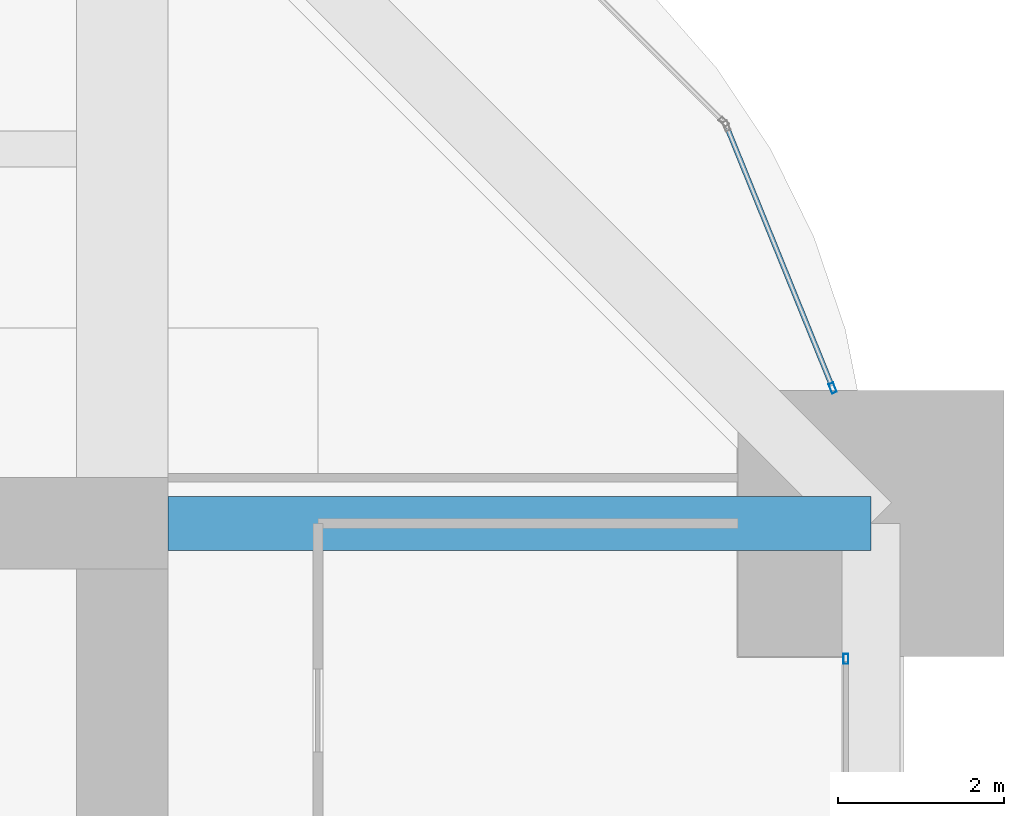
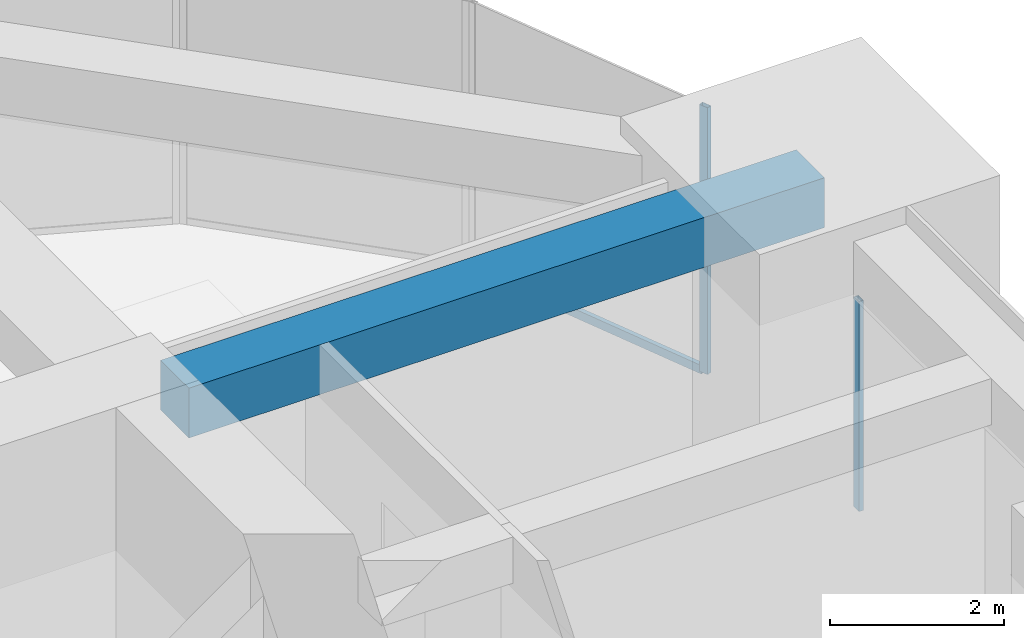
# One storey, part 35 of 43: 3 members, 1 beam, 2 elements without a shape of their own.
"""IFC4 building model written with IfcOpenShell, lengths in metres."""

from ifc_helpers import new_model, si_unit, direction, frame, origin, origin_2d, place, context, subcontext, project, spatial, rectangle, hollow_rectangle, extrude, material, material_profile, profile_set, type_object, element, aggregate, save


model = new_model("IFC4")

# Units and contexts
model_context = context("Model", 3, precision=1e-05, world=origin(), true_north=direction((0.0, 1.0)))
body_context = subcontext(model_context, "Body", "Model", "MODEL_VIEW")
ifc_project = project(units=[si_unit("LENGTHUNIT", "METRE"), si_unit("AREAUNIT", "SQUARE_METRE"), si_unit("VOLUMEUNIT", "CUBIC_METRE"), si_unit("PLANEANGLEUNIT", "RADIAN"), si_unit("MASSUNIT", "GRAM", prefix="KILO")], contexts=[model_context])

# Site, building, storey
site_placement = place(None, origin())
site = spatial("IfcSite", under=ifc_project, at=site_placement, CompositionType="ELEMENT")
building_placement = place(site_placement, origin())
building = spatial("IfcBuilding", under=site, at=building_placement, Name="Zorevar Civic Tower", CompositionType="ELEMENT")
storey_placement = place(building_placement, frame((0.0, 0.0, 243.39990234375)))
storey = spatial("IfcBuildingStorey", under=building, at=storey_placement, Name="L59", CompositionType="ELEMENT", Elevation=243.39990234375)

# Beam
ifc_material_1 = material(Name="Concrete C50/60", Category="concrete")
ifc_material_profile_1 = material_profile(ifc_material_1, rectangle(XDim=0.64990234375, YDim=0.699951171875, at=origin_2d()), Name="RC 650x700")
ifc_profile_set_1 = profile_set([ifc_material_profile_1], Name="Concrete C50/60")
beam_type = type_object("IfcBeamType", Name="Beam RC 650x700", PredefinedType="BEAM", material=ifc_profile_set_1)
beam_placement = place(storey_placement, frame((45.550048828125, 36.0, 3.400146484375), z_axis=(1.0, 0.0, 0.0), x_axis=(0.0, 1.0, 0.0)))
element("IfcBeam", 1, at=beam_placement, inside=storey, type_object=beam_type, Name="Girder L60", PredefinedType="BEAM", context=body_context, shape_type="SweptSolid", body=[
    extrude(rectangle(XDim=0.64990234375, YDim=0.699951171875, at=origin_2d()), origin(), (0.0, 0.0, 1.0), 8.449951171875),
])

# Curtain wall, member
ifc_material_2 = material(Name="Dark grey solar-control glass in black aluminium frame", Category="aluminium")
curtain_wall_type = type_object("IfcCurtainWallType", Name="Curtain wall CW5 top zone", PredefinedType="NOTDEFINED", material=ifc_material_2)
curtain_wall_1_placement = place(storey_placement, origin())
curtain_wall_1 = element("IfcCurtainWall", 2, at=curtain_wall_1_placement, inside=storey, type_object=curtain_wall_type, Name="CW5 L59", PredefinedType="NOTDEFINED")
ifc_material_3 = material(Name="Aluminium, black anodised", Category="aluminium")
ifc_material_profile_2 = material_profile(ifc_material_3, hollow_rectangle(XDim=0.06005859375, YDim=0.1201171875, WallThickness=0.0029296875, at=origin_2d()), Name="AL 120x60x3")
ifc_profile_set_2 = profile_set([ifc_material_profile_2], Name="Aluminium, black anodised")
member_type_1 = type_object("IfcMemberType", Name="CW5 mullion AL 120x60x3", PredefinedType="MULLION", material=ifc_profile_set_2)
member_1_placement = place(storey_placement, frame((53.699951171875, 34.3701171875, 0.0), z_axis=(0.0, 0.0, 1.0), x_axis=(-1.0, 0.0, 0.0)))
member_1 = element("IfcMember", 3, at=member_1_placement, type_object=member_type_1, Name="CW5 mullion 2", PredefinedType="MULLION", context=body_context, shape_type="SweptSolid", body=[
    extrude(hollow_rectangle(XDim=0.06005859375, YDim=0.1201171875, WallThickness=0.0029296875, at=origin_2d()), origin(), (0.0, 0.0, 1.0), 2.9501953125),
])
aggregate(curtain_wall_1, [member_1])

# Curtain wall, members
curtain_wall_2_placement = place(storey_placement, origin())
curtain_wall_2 = element("IfcCurtainWall", 4, at=curtain_wall_2_placement, inside=storey, type_object=curtain_wall_type, Name="CW5 L59", PredefinedType="NOTDEFINED")
member_2_placement = place(storey_placement, frame((53.540283203125, 37.627685546875, 0.0), z_axis=(0.0, 0.0, 1.0), x_axis=(-0.926761540227, -0.375650166453, 0.0)))
member_2 = element("IfcMember", 5, at=member_2_placement, type_object=member_type_1, Name="CW5 mullion 1", PredefinedType="MULLION", context=body_context, shape_type="SweptSolid", body=[
    extrude(hollow_rectangle(XDim=0.06005859375, YDim=0.1201171875, WallThickness=0.0029296875, at=origin_2d()), origin(), (0.0, 0.0, 1.0), 3.75),
])
ifc_material_4 = material(Name="Aluminium, black anodised", Category="aluminium")
ifc_material_profile_3 = material_profile(ifc_material_4, hollow_rectangle(XDim=0.06005859375, YDim=0.1201171875, WallThickness=0.0029296875, at=origin_2d()), Name="AL 120x60x3")
ifc_profile_set_3 = profile_set([ifc_material_profile_3], Name="Aluminium, black anodised")
member_type_2 = type_object("IfcMemberType", Name="CW5 transom AL 120x60x3", PredefinedType="USERDEFINED", material=ifc_profile_set_3)
member_3_placement = place(storey_placement, frame((53.529052734375, 37.655517578125, 0.030029296875), z_axis=(-0.375647407638, 0.92676265847, 0.0), x_axis=(-0.92676265847, -0.375647407638, 0.0)))
member_3 = element("IfcMember", 6, at=member_3_placement, type_object=member_type_2, Name="CW5 sill transom", ObjectType="TRANSOM", PredefinedType="USERDEFINED", context=body_context, shape_type="SweptSolid", body=[
    extrude(hollow_rectangle(XDim=0.06005859375, YDim=0.1201171875, WallThickness=0.0029296875, at=origin_2d()), origin(), (0.0, 0.0, 1.0), 3.33935546875),
])
aggregate(curtain_wall_2, [member_2, member_3])

save(model, "model.ifc")
